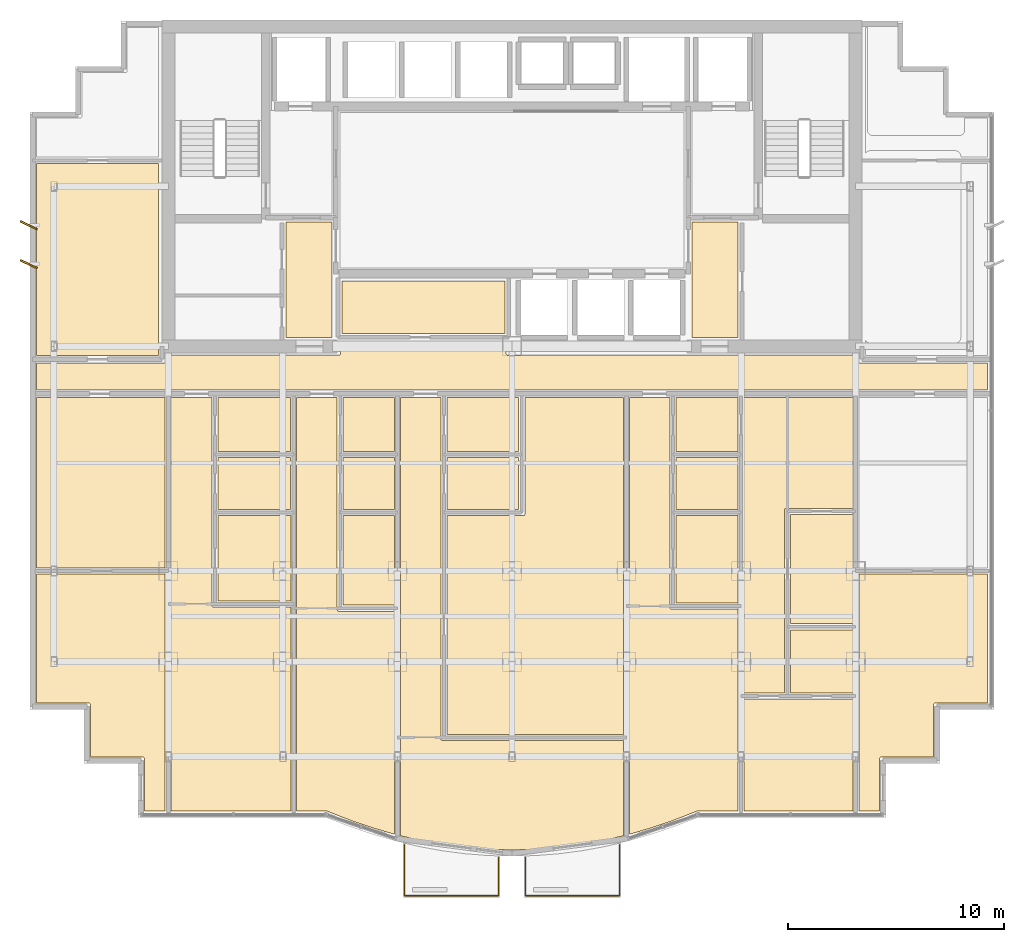
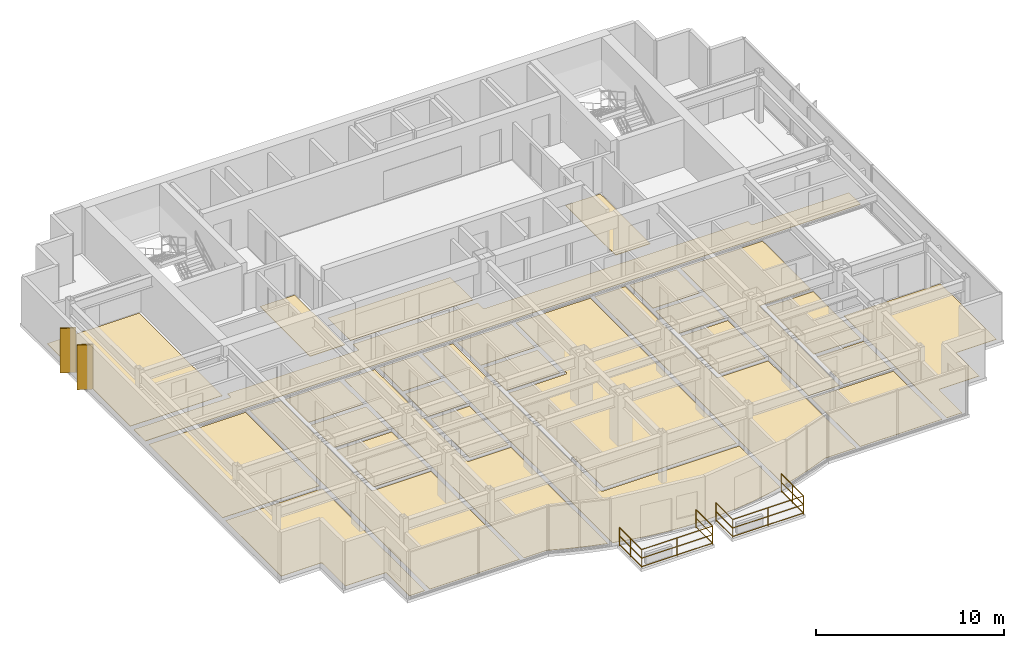
# One storey, part 12 of 13: 28 coverings, 2 railings, 2 shading devices.
"""IFC4 building model written with IfcOpenShell, lengths in metres."""

from ifc_helpers import new_model, si_unit, direction, frame, origin, origin_2d, place, context, subcontext, project, spatial, polyline, rectangle, circle, outline, extrude, source, transform, mapped, material, layer, layer_set, type_object, element, save


model = new_model("IFC4")

# Units and contexts
model_context = context("Model", 3, precision=1e-05, world=origin(), true_north=direction((0.0, 1.0)))
body_context = subcontext(model_context, "Body", "Model", "MODEL_VIEW")
ifc_project = project(units=[si_unit("LENGTHUNIT", "METRE"), si_unit("AREAUNIT", "SQUARE_METRE"), si_unit("VOLUMEUNIT", "CUBIC_METRE"), si_unit("PLANEANGLEUNIT", "RADIAN"), si_unit("MASSUNIT", "GRAM", prefix="KILO")], contexts=[model_context])

# Site, building, storey
site_placement = place(None, origin())
site = spatial("IfcSite", under=ifc_project, at=site_placement, CompositionType="ELEMENT")
building_placement = place(site_placement, origin())
building = spatial("IfcBuilding", under=site, at=building_placement, Name="Qianlan Lanfeng Residences", CompositionType="ELEMENT")
storey_placement = place(building_placement, frame((0.0, 0.0, 142.5)))
storey = spatial("IfcBuildingStorey", under=building, at=storey_placement, Name="L38", CompositionType="ELEMENT", Elevation=142.5)

# Coverings
ifc_material_1 = material(Name="Honed Taitung Granite Stone Flooring", Category="masonry")
ifc_layer_1 = layer(ifc_material_1, 0.030029296875)
ifc_layer_set_1 = layer_set([ifc_layer_1], Name="Honed Taitung Granite Stone Flooring")
covering_type_1 = type_object("IfcCoveringType", Name="FLR-STN-30", PredefinedType="FLOORING", material=ifc_layer_set_1)
covering_1_placement = place(storey_placement, origin())
element("IfcCovering", 1, at=covering_1_placement, inside=storey, type_object=covering_type_1, Name="L38 Residential Corridor Floor Finish", PredefinedType="FLOORING", context=body_context, shape_type="SweptSolid", body=[
    extrude(outline(polyline([(4.489990234375, 23.179931640625), (48.510009765625, 23.179931640625), (48.510009765625, 24.419921875), (42.590087890625, 24.419921875), (42.5830078125, 24.419921875), (42.575927734375, 24.4208984375), (42.570068359375, 24.423095703125), (42.56298828125, 24.425048828125), (42.556884765625, 24.427978515625), (42.551025390625, 24.431884765625), (42.5458984375, 24.43603515625), (42.541015625, 24.44091796875), (42.535888671875, 24.446044921875), (42.531982421875, 24.450927734375), (42.528076171875, 24.45703125), (42.52490234375, 24.462890625), (42.52294921875, 24.469970703125), (42.52099609375, 24.47607421875), (42.52001953125, 24.48291015625), (42.52001953125, 24.489990234375), (42.52001953125, 24.800048828125), (26.300048828125, 24.800048828125), (26.29296875, 24.800048828125), (26.285888671875, 24.801025390625), (26.280029296875, 24.802978515625), (26.27294921875, 24.804931640625), (26.26708984375, 24.80810546875), (26.260986328125, 24.81201171875), (26.256103515625, 24.81591796875), (26.2509765625, 24.821044921875), (26.24609375, 24.825927734375), (26.241943359375, 24.8310546875), (26.238037109375, 24.8369140625), (26.235107421875, 24.843017578125), (26.23291015625, 24.85009765625), (26.23095703125, 24.85595703125), (26.22998046875, 24.863037109375), (26.22998046875, 24.8701171875), (26.22998046875, 25.429931640625), (18.570068359375, 25.429931640625), (18.570068359375, 24.8701171875), (18.570068359375, 24.863037109375), (18.569091796875, 24.85595703125), (18.56689453125, 24.85009765625), (18.56494140625, 24.843017578125), (18.56201171875, 24.8369140625), (18.55810546875, 24.8310546875), (18.553955078125, 24.825927734375), (18.549072265625, 24.821044921875), (18.5439453125, 24.81591796875), (18.5390625, 24.81201171875), (18.532958984375, 24.80810546875), (18.527099609375, 24.804931640625), (18.52001953125, 24.802978515625), (18.513916015625, 24.801025390625), (18.507080078125, 24.800048828125), (18.5, 24.800048828125), (10.47998046875, 24.800048828125), (10.47998046875, 24.489990234375), (10.47998046875, 24.48291015625), (10.47900390625, 24.47607421875), (10.47705078125, 24.469970703125), (10.47509765625, 24.462890625), (10.471923828125, 24.45703125), (10.468017578125, 24.450927734375), (10.464111328125, 24.446044921875), (10.458984375, 24.44091796875), (10.4541015625, 24.43603515625), (10.448974609375, 24.431884765625), (10.443115234375, 24.427978515625), (10.43701171875, 24.425048828125), (10.429931640625, 24.423095703125), (10.424072265625, 24.4208984375), (10.4169921875, 24.419921875), (10.409912109375, 24.419921875), (4.489990234375, 24.419921875), (4.489990234375, 23.179931640625)])), origin(), (0.0, 0.0, 1.0), 0.030029296875),
])
covering_2_placement = place(storey_placement, origin())
element("IfcCovering", 2, at=covering_2_placement, inside=storey, type_object=covering_type_1, Name="L38 Lift Lobby Floor Finish", PredefinedType="FLOORING", context=body_context, shape_type="SweptSolid", body=[
    extrude(outline(polyline([(16.030029296875, 25.610107421875), (18.169921875, 25.610107421875), (18.169921875, 30.949951171875), (16.030029296875, 30.949951171875), (16.030029296875, 25.610107421875)])), origin(), (0.0, 0.0, 1.0), 0.030029296875),
])
covering_3_placement = place(storey_placement, origin())
element("IfcCovering", 3, at=covering_3_placement, inside=storey, type_object=covering_type_1, Name="L38 Lift Lobby Floor Finish", PredefinedType="FLOORING", context=body_context, shape_type="SweptSolid", body=[
    extrude(outline(polyline([(34.830078125, 25.610107421875), (36.969970703125, 25.610107421875), (36.969970703125, 30.949951171875), (34.830078125, 30.949951171875), (34.830078125, 25.610107421875)])), origin(), (0.0, 0.0, 1.0), 0.030029296875),
])
ifc_material_2 = material(Name="Slip-Resistant Porcelain Tile Flooring")
ifc_layer_2 = layer(ifc_material_2, 0.02001953125)
ifc_layer_set_2 = layer_set([ifc_layer_2], Name="Slip-Resistant Porcelain Tile Flooring")
covering_type_2 = type_object("IfcCoveringType", Name="FLR-TIL-20", PredefinedType="FLOORING", material=ifc_layer_set_2)
covering_4_placement = place(storey_placement, origin())
element("IfcCovering", 4, at=covering_4_placement, inside=storey, type_object=covering_type_2, Name="L38 Kitchen Floor Finish", PredefinedType="FLOORING", context=body_context, shape_type="SweptSolid", body=[
    extrude(outline(polyline([(12.889892578125, 17.639892578125), (16.260009765625, 17.639892578125), (16.260009765625, 20.06005859375), (12.889892578125, 20.06005859375), (12.889892578125, 17.639892578125)])), origin(), (0.0, 0.0, 1.0), 0.02001953125),
])
covering_5_placement = place(storey_placement, origin())
element("IfcCovering", 5, at=covering_5_placement, inside=storey, type_object=covering_type_2, Name="L38 Bathroom Floor Finish", PredefinedType="FLOORING", context=body_context, shape_type="SweptSolid", body=[
    extrude(outline(polyline([(12.889892578125, 20.340087890625), (16.260009765625, 20.340087890625), (16.260009765625, 22.830078125), (12.889892578125, 22.830078125), (12.889892578125, 20.340087890625)])), origin(), (0.0, 0.0, 1.0), 0.02001953125),
])
covering_6_placement = place(storey_placement, origin())
element("IfcCovering", 6, at=covering_6_placement, inside=storey, type_object=covering_type_2, Name="L38 Kitchen Floor Finish", PredefinedType="FLOORING", context=body_context, shape_type="SweptSolid", body=[
    extrude(outline(polyline([(18.68994140625, 17.639892578125), (21.06005859375, 17.639892578125), (21.06005859375, 20.06005859375), (18.68994140625, 20.06005859375), (18.68994140625, 17.639892578125)])), origin(), (0.0, 0.0, 1.0), 0.02001953125),
])
covering_7_placement = place(storey_placement, origin())
element("IfcCovering", 7, at=covering_7_placement, inside=storey, type_object=covering_type_2, Name="L38 Bathroom Floor Finish", PredefinedType="FLOORING", context=body_context, shape_type="SweptSolid", body=[
    extrude(outline(polyline([(18.68994140625, 20.340087890625), (21.06005859375, 20.340087890625), (21.06005859375, 22.830078125), (18.68994140625, 22.830078125), (18.68994140625, 20.340087890625)])), origin(), (0.0, 0.0, 1.0), 0.02001953125),
])
covering_8_placement = place(storey_placement, origin())
element("IfcCovering", 8, at=covering_8_placement, inside=storey, type_object=covering_type_2, Name="L38 Kitchen Floor Finish", PredefinedType="FLOORING", context=body_context, shape_type="SweptSolid", body=[
    extrude(outline(polyline([(23.489990234375, 17.639892578125), (26.81005859375, 17.639892578125), (26.81005859375, 20.06005859375), (23.489990234375, 20.06005859375), (23.489990234375, 17.639892578125)])), origin(), (0.0, 0.0, 1.0), 0.02001953125),
])
covering_9_placement = place(storey_placement, origin())
element("IfcCovering", 9, at=covering_9_placement, inside=storey, type_object=covering_type_2, Name="L38 Bathroom Floor Finish", PredefinedType="FLOORING", context=body_context, shape_type="SweptSolid", body=[
    extrude(outline(polyline([(23.489990234375, 20.340087890625), (26.81005859375, 20.340087890625), (26.81005859375, 22.830078125), (23.489990234375, 22.830078125), (23.489990234375, 20.340087890625)])), origin(), (0.0, 0.0, 1.0), 0.02001953125),
])
covering_10_placement = place(storey_placement, origin())
element("IfcCovering", 10, at=covering_10_placement, inside=storey, type_object=covering_type_2, Name="L38 Kitchen Floor Finish", PredefinedType="FLOORING", context=body_context, shape_type="SweptSolid", body=[
    extrude(outline(polyline([(34.090087890625, 17.639892578125), (36.9599609375, 17.639892578125), (36.9599609375, 20.06005859375), (34.090087890625, 20.06005859375), (34.090087890625, 17.639892578125)])), origin(), (0.0, 0.0, 1.0), 0.02001953125),
])
covering_11_placement = place(storey_placement, origin())
element("IfcCovering", 11, at=covering_11_placement, inside=storey, type_object=covering_type_2, Name="L38 Bathroom Floor Finish", PredefinedType="FLOORING", context=body_context, shape_type="SweptSolid", body=[
    extrude(outline(polyline([(34.090087890625, 20.340087890625), (36.9599609375, 20.340087890625), (36.9599609375, 22.830078125), (34.090087890625, 22.830078125), (34.090087890625, 20.340087890625)])), origin(), (0.0, 0.0, 1.0), 0.02001953125),
])
covering_12_placement = place(storey_placement, origin())
element("IfcCovering", 12, at=covering_12_placement, inside=storey, type_object=covering_type_2, Name="L38 En-Suite Bathroom Floor Finish", PredefinedType="FLOORING", context=body_context, shape_type="SweptSolid", body=[
    extrude(outline(polyline([(39.389892578125, 9.159912109375), (42.27001953125, 9.159912109375), (42.27001953125, 12.080078125), (39.389892578125, 12.080078125), (39.389892578125, 9.159912109375)])), origin(), (0.0, 0.0, 1.0), 0.02001953125),
])
ifc_material_3 = material(Name="Engineered Smoked Oak Timber Flooring", Category="wood")
ifc_layer_3 = layer(ifc_material_3, 0.02197265625)
ifc_layer_set_3 = layer_set([ifc_layer_3], Name="Engineered Smoked Oak Timber Flooring")
covering_type_3 = type_object("IfcCoveringType", Name="FLR-TIM-22", PredefinedType="FLOORING", material=ifc_layer_set_3)
covering_13_placement = place(storey_placement, origin())
element("IfcCovering", 13, at=covering_13_placement, inside=storey, type_object=covering_type_3, Name="L38 Gallery Salon Floor Finish", PredefinedType="FLOORING", context=body_context, shape_type="SweptSolid", body=[
    extrude(outline(polyline([(18.6298828125, 25.800048828125), (26.169921875, 25.800048828125), (26.169921875, 28.22998046875), (18.6298828125, 28.22998046875), (18.6298828125, 25.800048828125)])), origin(), (0.0, 0.0, 1.0), 0.02197265625),
])
covering_14_placement = place(storey_placement, origin())
element("IfcCovering", 14, at=covering_14_placement, inside=storey, type_object=covering_type_3, Name="L38 Studio Living Room Floor Finish", PredefinedType="FLOORING", context=body_context, shape_type="SweptSolid", body=[
    extrude(outline(polyline([(16.27001953125, 3.68994140625), (16.27001953125, 13.135009765625), (12.679931640625, 13.135009765625), (12.673095703125, 13.135009765625), (12.666015625, 13.135986328125), (12.659912109375, 13.137939453125), (12.653076171875, 13.139892578125), (12.64697265625, 13.14306640625), (12.64111328125, 13.14697265625), (12.635986328125, 13.15087890625), (12.631103515625, 13.156005859375), (12.6259765625, 13.160888671875), (12.6220703125, 13.166015625), (12.617919921875, 13.172119140625), (12.614990234375, 13.177978515625), (12.613037109375, 13.18505859375), (12.611083984375, 13.19091796875), (12.610107421875, 13.197998046875), (12.610107421875, 13.205078125), (12.610107421875, 22.830078125), (10.72998046875, 22.830078125), (10.72998046875, 3.68994140625), (16.27001953125, 3.68994140625)])), origin(), (0.0, 0.0, 1.0), 0.02197265625),
])
covering_15_placement = place(storey_placement, origin())
element("IfcCovering", 15, at=covering_15_placement, inside=storey, type_object=covering_type_3, Name="L38 Villa Family Sitting Room Floor Finish", PredefinedType="FLOORING", context=body_context, shape_type="SweptSolid", body=[
    extrude(outline(polyline([(12.889892578125, 17.360107421875), (12.889892578125, 13.4150390625), (16.27001953125, 13.4150390625), (16.27001953125, 17.360107421875), (12.889892578125, 17.360107421875)])), origin(), (0.0, 0.0, 1.0), 0.02197265625),
])
covering_16_placement = place(storey_placement, origin())
element("IfcCovering", 16, at=covering_16_placement, inside=storey, type_object=covering_type_3, Name="L38 Studio Living Room Floor Finish", PredefinedType="FLOORING", context=body_context, shape_type="SweptSolid", body=[
    extrude(outline(polyline([(21.070068359375, 2.616943359375), (21.070068359375, 12.93603515625), (18.47998046875, 12.93603515625), (18.472900390625, 12.93603515625), (18.466064453125, 12.93701171875), (18.4599609375, 12.93896484375), (18.452880859375, 12.94091796875), (18.447021484375, 12.944091796875), (18.44091796875, 12.947998046875), (18.43603515625, 12.951904296875), (18.430908203125, 12.95703125), (18.426025390625, 12.9619140625), (18.422119140625, 12.967041015625), (18.41796875, 12.972900390625), (18.4150390625, 12.97900390625), (18.4130859375, 12.986083984375), (18.410888671875, 12.991943359375), (18.409912109375, 12.9990234375), (18.409912109375, 13.006103515625), (18.409912109375, 22.830078125), (16.530029296875, 22.830078125), (16.530029296875, 3.68994140625), (17.922119140625, 3.68994140625), (17.927978515625, 3.68994140625), (17.93505859375, 3.68896484375), (17.94091796875, 3.68701171875), (17.947021484375, 3.68505859375), (19.056884765625, 3.25), (20.1220703125, 2.888916015625), (21.070068359375, 2.616943359375)])), origin(), (0.0, 0.0, 1.0), 0.02197265625),
])
covering_17_placement = place(storey_placement, origin())
element("IfcCovering", 17, at=covering_17_placement, inside=storey, type_object=covering_type_3, Name="L38 Private Study Floor Finish", PredefinedType="FLOORING", context=body_context, shape_type="SweptSolid", body=[
    extrude(outline(polyline([(18.68994140625, 17.360107421875), (18.68994140625, 13.216064453125), (21.070068359375, 13.216064453125), (21.070068359375, 17.360107421875), (18.68994140625, 17.360107421875)])), origin(), (0.0, 0.0, 1.0), 0.02197265625),
])
covering_18_placement = place(storey_placement, origin())
element("IfcCovering", 18, at=covering_18_placement, inside=storey, type_object=covering_type_3, Name="L38 Studio Living Room Floor Finish", PredefinedType="FLOORING", context=body_context, shape_type="SweptSolid", body=[
    extrude(outline(polyline([(31.669921875, 2.550048828125), (31.669921875, 6.962890625), (23.280029296875, 6.962890625), (23.27294921875, 6.962890625), (23.26611328125, 6.964111328125), (23.260009765625, 6.966064453125), (23.2529296875, 6.968017578125), (23.2470703125, 6.970947265625), (23.240966796875, 6.97509765625), (23.236083984375, 6.97900390625), (23.23095703125, 6.98388671875), (23.22607421875, 6.989013671875), (23.221923828125, 6.993896484375), (23.218017578125, 7.0), (23.215087890625, 7.006103515625), (23.212890625, 7.012939453125), (23.2109375, 7.01904296875), (23.2099609375, 7.02587890625), (23.2099609375, 7.032958984375), (23.2099609375, 22.830078125), (21.330078125, 22.830078125), (21.330078125, 2.550048828125), (22.2490234375, 2.333984375), (23.31201171875, 2.139892578125), (24.375, 2.001953125), (25.43701171875, 1.91796875), (26.5, 1.889892578125), (27.56298828125, 1.91796875), (28.625, 2.0009765625), (29.68701171875, 2.139892578125), (30.7509765625, 2.333984375), (31.669921875, 2.550048828125)])), origin(), (0.0, 0.0, 1.0), 0.02197265625),
])
covering_19_placement = place(storey_placement, origin())
element("IfcCovering", 19, at=covering_19_placement, inside=storey, type_object=covering_type_3, Name="L38 Villa Family Sitting Room Floor Finish", PredefinedType="FLOORING", context=body_context, shape_type="SweptSolid", body=[
    extrude(outline(polyline([(23.489990234375, 7.242919921875), (31.669921875, 7.242919921875), (31.669921875, 22.830078125), (27.090087890625, 22.830078125), (27.090087890625, 17.429931640625), (27.090087890625, 17.423095703125), (27.089111328125, 17.416015625), (27.0869140625, 17.409912109375), (27.0849609375, 17.403076171875), (27.08203125, 17.39697265625), (27.077880859375, 17.39111328125), (27.073974609375, 17.385986328125), (27.069091796875, 17.381103515625), (27.06396484375, 17.3759765625), (27.05908203125, 17.3720703125), (27.052978515625, 17.367919921875), (27.047119140625, 17.364990234375), (27.0400390625, 17.363037109375), (27.033935546875, 17.361083984375), (27.027099609375, 17.360107421875), (27.02001953125, 17.360107421875), (23.489990234375, 17.360107421875), (23.489990234375, 7.242919921875)])), origin(), (0.0, 0.0, 1.0), 0.02197265625),
])
covering_20_placement = place(storey_placement, origin())
element("IfcCovering", 20, at=covering_20_placement, inside=storey, type_object=covering_type_3, Name="L38 Living and Dining Room Floor Finish", PredefinedType="FLOORING", context=body_context, shape_type="SweptSolid", body=[
    extrude(outline(polyline([(36.969970703125, 3.68994140625), (36.969970703125, 13.033935546875), (33.8798828125, 13.033935546875), (33.873046875, 13.033935546875), (33.865966796875, 13.034912109375), (33.860107421875, 13.037109375), (33.85302734375, 13.0390625), (33.846923828125, 13.0419921875), (33.841064453125, 13.0458984375), (33.8359375, 13.050048828125), (33.8310546875, 13.054931640625), (33.825927734375, 13.06005859375), (33.822021484375, 13.06494140625), (33.818115234375, 13.071044921875), (33.81494140625, 13.076904296875), (33.81298828125, 13.083984375), (33.81103515625, 13.090087890625), (33.81005859375, 13.096923828125), (33.81005859375, 13.10400390625), (33.81005859375, 22.830078125), (31.929931640625, 22.830078125), (31.929931640625, 2.616943359375), (32.8779296875, 2.888916015625), (33.94189453125, 3.25), (35.052978515625, 3.68505859375), (35.05908203125, 3.68701171875), (35.06494140625, 3.68896484375), (35.072021484375, 3.68994140625), (35.077880859375, 3.68994140625), (36.969970703125, 3.68994140625)])), origin(), (0.0, 0.0, 1.0), 0.02197265625),
])
covering_21_placement = place(storey_placement, origin())
element("IfcCovering", 21, at=covering_21_placement, inside=storey, type_object=covering_type_3, Name="L38 Villa Family Sitting Room Floor Finish", PredefinedType="FLOORING", context=body_context, shape_type="SweptSolid", body=[
    extrude(outline(polyline([(34.090087890625, 17.360107421875), (34.090087890625, 13.31396484375), (36.969970703125, 13.31396484375), (36.969970703125, 17.360107421875), (34.090087890625, 17.360107421875)])), origin(), (0.0, 0.0, 1.0), 0.02197265625),
])
covering_22_placement = place(storey_placement, origin())
element("IfcCovering", 22, at=covering_22_placement, inside=storey, type_object=covering_type_3, Name="L38 Private Study Floor Finish", PredefinedType="FLOORING", context=body_context, shape_type="SweptSolid", body=[
    extrude(outline(polyline([(39.389892578125, 12.360107421875), (42.27001953125, 12.360107421875), (42.27001953125, 17.419921875), (39.389892578125, 17.419921875), (39.389892578125, 12.360107421875)])), origin(), (0.0, 0.0, 1.0), 0.02197265625),
])
covering_23_placement = place(storey_placement, origin())
element("IfcCovering", 23, at=covering_23_placement, inside=storey, type_object=covering_type_3, Name="L38 Villa Family Sitting Room Floor Finish", PredefinedType="FLOORING", context=body_context, shape_type="SweptSolid", body=[
    extrude(outline(polyline([(37.22998046875, 9.159912109375), (39.110107421875, 9.159912109375), (39.110107421875, 17.6298828125), (39.110107421875, 17.636962890625), (39.111083984375, 17.64404296875), (39.113037109375, 17.64990234375), (39.114990234375, 17.656982421875), (39.117919921875, 17.6630859375), (39.1220703125, 17.6689453125), (39.1259765625, 17.674072265625), (39.131103515625, 17.678955078125), (39.135986328125, 17.68408203125), (39.14111328125, 17.68798828125), (39.14697265625, 17.69189453125), (39.153076171875, 17.695068359375), (39.159912109375, 17.697021484375), (39.166015625, 17.698974609375), (39.173095703125, 17.699951171875), (39.179931640625, 17.699951171875), (42.27001953125, 17.699951171875), (42.27001953125, 22.830078125), (37.22998046875, 22.830078125), (37.22998046875, 9.159912109375)])), origin(), (0.0, 0.0, 1.0), 0.02197265625),
])
covering_24_placement = place(storey_placement, origin())
element("IfcCovering", 24, at=covering_24_placement, inside=storey, type_object=covering_type_3, Name="L38 Master Bedroom Floor Finish", PredefinedType="FLOORING", context=body_context, shape_type="SweptSolid", body=[
    extrude(outline(polyline([(37.22998046875, 8.8798828125), (37.22998046875, 3.68994140625), (42.27001953125, 3.68994140625), (42.27001953125, 8.8798828125), (37.22998046875, 8.8798828125)])), origin(), (0.0, 0.0, 1.0), 0.02197265625),
])
covering_25_placement = place(storey_placement, origin())
element("IfcCovering", 25, at=covering_25_placement, inside=storey, type_object=covering_type_3, Name="L38 Sunroom Floor Finish", PredefinedType="FLOORING", context=body_context, shape_type="SweptSolid", body=[
    extrude(outline(polyline([(10.43994140625, 14.64990234375), (4.489990234375, 14.64990234375), (4.489990234375, 8.68994140625), (6.919921875, 8.68994140625), (6.927001953125, 8.68994140625), (6.93408203125, 8.68896484375), (6.93994140625, 8.68701171875), (6.947021484375, 8.68505859375), (6.952880859375, 8.681884765625), (6.958984375, 8.677978515625), (6.964111328125, 8.674072265625), (6.968994140625, 8.6689453125), (6.97412109375, 8.6640625), (6.97802734375, 8.658935546875), (6.98193359375, 8.653076171875), (6.985107421875, 8.64697265625), (6.987060546875, 8.639892578125), (6.989013671875, 8.634033203125), (6.989990234375, 8.626953125), (6.989990234375, 8.6201171875), (6.989990234375, 6.18994140625), (9.419921875, 6.18994140625), (9.427001953125, 6.18994140625), (9.43408203125, 6.18896484375), (9.43994140625, 6.18701171875), (9.447021484375, 6.18505859375), (9.452880859375, 6.181884765625), (9.458984375, 6.177978515625), (9.464111328125, 6.174072265625), (9.468994140625, 6.1689453125), (9.47412109375, 6.1640625), (9.47802734375, 6.158935546875), (9.48193359375, 6.153076171875), (9.485107421875, 6.14697265625), (9.487060546875, 6.139892578125), (9.489013671875, 6.134033203125), (9.489990234375, 6.126953125), (9.489990234375, 6.1201171875), (9.489990234375, 3.68994140625), (10.43994140625, 3.68994140625), (10.43994140625, 14.64990234375)])), origin(), (0.0, 0.0, 1.0), 0.02197265625),
])
covering_26_placement = place(storey_placement, origin())
element("IfcCovering", 26, at=covering_26_placement, inside=storey, type_object=covering_type_3, Name="L38 Family Sitting Room Floor Finish", PredefinedType="FLOORING", context=body_context, shape_type="SweptSolid", body=[
    extrude(outline(polyline([(10.43994140625, 22.830078125), (4.489990234375, 22.830078125), (4.489990234375, 14.949951171875), (10.43994140625, 14.949951171875), (10.43994140625, 22.830078125)])), origin(), (0.0, 0.0, 1.0), 0.02197265625),
])
covering_27_placement = place(storey_placement, origin())
element("IfcCovering", 27, at=covering_27_placement, inside=storey, type_object=covering_type_3, Name="L38 Sunroom Floor Finish", PredefinedType="FLOORING", context=body_context, shape_type="SweptSolid", body=[
    extrude(outline(polyline([(48.510009765625, 14.64990234375), (42.56005859375, 14.64990234375), (42.56005859375, 3.68994140625), (43.510009765625, 3.68994140625), (43.510009765625, 6.1201171875), (43.510009765625, 6.126953125), (43.510986328125, 6.134033203125), (43.512939453125, 6.139892578125), (43.514892578125, 6.14697265625), (43.51806640625, 6.153076171875), (43.52197265625, 6.158935546875), (43.52587890625, 6.1640625), (43.531005859375, 6.1689453125), (43.535888671875, 6.174072265625), (43.541015625, 6.177978515625), (43.547119140625, 6.181884765625), (43.552978515625, 6.18505859375), (43.56005859375, 6.18701171875), (43.56591796875, 6.18896484375), (43.572998046875, 6.18994140625), (43.580078125, 6.18994140625), (46.010009765625, 6.18994140625), (46.010009765625, 8.6201171875), (46.010009765625, 8.626953125), (46.010986328125, 8.634033203125), (46.012939453125, 8.639892578125), (46.014892578125, 8.64697265625), (46.01806640625, 8.653076171875), (46.02197265625, 8.658935546875), (46.02587890625, 8.6640625), (46.031005859375, 8.6689453125), (46.035888671875, 8.674072265625), (46.041015625, 8.677978515625), (46.047119140625, 8.681884765625), (46.052978515625, 8.68505859375), (46.06005859375, 8.68701171875), (46.06591796875, 8.68896484375), (46.072998046875, 8.68994140625), (46.080078125, 8.68994140625), (48.510009765625, 8.68994140625), (48.510009765625, 14.64990234375)])), origin(), (0.0, 0.0, 1.0), 0.02197265625),
])
covering_28_placement = place(storey_placement, origin())
element("IfcCovering", 28, at=covering_28_placement, inside=storey, type_object=covering_type_3, Name="L38 Sky Lounge Floor Finish", PredefinedType="FLOORING", context=body_context, shape_type="SweptSolid", body=[
    extrude(outline(polyline([(10.14990234375, 33.64990234375), (4.489990234375, 33.64990234375), (4.489990234375, 24.780029296875), (10.14990234375, 24.780029296875), (10.14990234375, 33.64990234375)])), origin(), (0.0, 0.0, 1.0), 0.02197265625),
])

# Railings
ifc_material_4 = material(Name="Anodised Bronze Aluminium and Laminated Glass Guard Balustrade", Category="aluminium")
railing_type = type_object("IfcRailingType", Name="GR-EXT-1220", PredefinedType="BALUSTRADE", material=ifc_material_4)
railing_1_placement = place(storey_placement, frame((25.8798828125, 1.5458984375, 0.0)))
element("IfcRailing", 29, at=railing_1_placement, inside=storey, type_object=railing_type, Name="L38 Terrace Safety Guard GR-L38-SB-W", PredefinedType="BALUSTRADE", context=body_context, shape_type="SweptSolid", body=[
    extrude(circle(Radius=0.02490234375, at=origin_2d()), frame((0.0, 0.0, 0.0849609375), z_axis=(0.0, -1.0, 0.0), x_axis=(1.0, 0.0, 0.0)), (0.0, 0.0, 1.0), 1.77587890625),
    extrude(circle(Radius=0.02490234375, at=origin_2d()), frame((0.0, 0.0, 0.63427734375), z_axis=(0.0, -1.0, 0.0), x_axis=(1.0, 0.0, 0.0)), (0.0, 0.0, 1.0), 1.77587890625),
    extrude(circle(Radius=0.02490234375, at=origin_2d()), frame((0.0, 0.0, 1.19482421875), z_axis=(0.0, -1.0, 0.0), x_axis=(1.0, 0.0, 0.0)), (0.0, 0.0, 1.0), 1.77587890625),
    extrude(circle(Radius=0.02490234375, at=origin_2d()), frame((0.0, -1.77587890625, 0.0849609375), z_axis=(-1.0, 0.0, 0.0), x_axis=(0.0, -1.0, 0.0)), (0.0, 0.0, 1.0), 4.35986328125),
    extrude(circle(Radius=0.02490234375, at=origin_2d()), frame((0.0, -1.77587890625, 0.63427734375), z_axis=(-1.0, 0.0, 0.0), x_axis=(0.0, -1.0, 0.0)), (0.0, 0.0, 1.0), 4.35986328125),
    extrude(circle(Radius=0.02490234375, at=origin_2d()), frame((0.0, -1.77587890625, 1.19482421875), z_axis=(-1.0, 0.0, 0.0), x_axis=(0.0, -1.0, 0.0)), (0.0, 0.0, 1.0), 4.35986328125),
    extrude(circle(Radius=0.02490234375, at=origin_2d()), frame((-4.35986328125, -1.77587890625, 0.0849609375), z_axis=(0.0, 1.0, 0.0), x_axis=(-1.0, 0.0, 0.0)), (0.0, 0.0, 1.0), 2.365966796875),
    extrude(circle(Radius=0.02490234375, at=origin_2d()), frame((-4.35986328125, -1.77587890625, 0.63427734375), z_axis=(0.0, 1.0, 0.0), x_axis=(-1.0, 0.0, 0.0)), (0.0, 0.0, 1.0), 2.365966796875),
    extrude(circle(Radius=0.02490234375, at=origin_2d()), frame((-4.35986328125, -1.77587890625, 1.19482421875), z_axis=(0.0, 1.0, 0.0), x_axis=(-1.0, 0.0, 0.0)), (0.0, 0.0, 1.0), 2.365966796875),
    extrude(circle(Radius=0.02099609375, at=origin_2d()), origin(), (0.0, 0.0, 1.0), 1.169921875),
    extrude(circle(Radius=0.02099609375, at=origin_2d()), frame((0.0, -1.77587890625, 0.0)), (0.0, 0.0, 1.0), 1.169921875),
    extrude(circle(Radius=0.02099609375, at=origin_2d()), frame((-2.179931640625, -1.77587890625, 0.0)), (0.0, 0.0, 1.0), 1.169921875),
    extrude(circle(Radius=0.02099609375, at=origin_2d()), frame((-4.35986328125, -1.77587890625, 0.0)), (0.0, 0.0, 1.0), 1.169921875),
    extrude(circle(Radius=0.02099609375, at=origin_2d()), frame((-4.35986328125, -0.5927734375, 0.0)), (0.0, 0.0, 1.0), 1.169921875),
    extrude(circle(Radius=0.02099609375, at=origin_2d()), frame((-4.35986328125, 0.590087890625, 0.0)), (0.0, 0.0, 1.0), 1.169921875),
])
railing_2_placement = place(storey_placement, frame((31.47998046875, 2.135986328125, 0.0)))
element("IfcRailing", 30, at=railing_2_placement, inside=storey, type_object=railing_type, Name="L38 Terrace Safety Guard GR-L38-SB-E", PredefinedType="BALUSTRADE", context=body_context, shape_type="SweptSolid", body=[
    extrude(circle(Radius=0.02490234375, at=origin_2d()), frame((0.0, 0.0, 0.0849609375), z_axis=(0.0, -1.0, 0.0), x_axis=(1.0, 0.0, 0.0)), (0.0, 0.0, 1.0), 2.365966796875),
    extrude(circle(Radius=0.02490234375, at=origin_2d()), frame((0.0, 0.0, 0.63427734375), z_axis=(0.0, -1.0, 0.0), x_axis=(1.0, 0.0, 0.0)), (0.0, 0.0, 1.0), 2.365966796875),
    extrude(circle(Radius=0.02490234375, at=origin_2d()), frame((0.0, 0.0, 1.19482421875), z_axis=(0.0, -1.0, 0.0), x_axis=(1.0, 0.0, 0.0)), (0.0, 0.0, 1.0), 2.365966796875),
    extrude(circle(Radius=0.02490234375, at=origin_2d()), frame((0.0, -2.365966796875, 0.0849609375), z_axis=(-1.0, 0.0, 0.0), x_axis=(0.0, -1.0, 0.0)), (0.0, 0.0, 1.0), 4.35986328125),
    extrude(circle(Radius=0.02490234375, at=origin_2d()), frame((0.0, -2.365966796875, 0.63427734375), z_axis=(-1.0, 0.0, 0.0), x_axis=(0.0, -1.0, 0.0)), (0.0, 0.0, 1.0), 4.35986328125),
    extrude(circle(Radius=0.02490234375, at=origin_2d()), frame((0.0, -2.365966796875, 1.19482421875), z_axis=(-1.0, 0.0, 0.0), x_axis=(0.0, -1.0, 0.0)), (0.0, 0.0, 1.0), 4.35986328125),
    extrude(circle(Radius=0.02490234375, at=origin_2d()), frame((-4.35986328125, -2.365966796875, 0.0849609375), z_axis=(0.0, 1.0, 0.0), x_axis=(-1.0, 0.0, 0.0)), (0.0, 0.0, 1.0), 1.77587890625),
    extrude(circle(Radius=0.02490234375, at=origin_2d()), frame((-4.35986328125, -2.365966796875, 0.63427734375), z_axis=(0.0, 1.0, 0.0), x_axis=(-1.0, 0.0, 0.0)), (0.0, 0.0, 1.0), 1.77587890625),
    extrude(circle(Radius=0.02490234375, at=origin_2d()), frame((-4.35986328125, -2.365966796875, 1.19482421875), z_axis=(0.0, 1.0, 0.0), x_axis=(-1.0, 0.0, 0.0)), (0.0, 0.0, 1.0), 1.77587890625),
    extrude(circle(Radius=0.02099609375, at=origin_2d()), origin(), (0.0, 0.0, 1.0), 1.169921875),
    extrude(circle(Radius=0.02099609375, at=origin_2d()), frame((0.0, -1.18310546875, 0.0)), (0.0, 0.0, 1.0), 1.169921875),
    extrude(circle(Radius=0.02099609375, at=origin_2d()), frame((0.0, -2.365966796875, 0.0)), (0.0, 0.0, 1.0), 1.169921875),
    extrude(circle(Radius=0.02099609375, at=origin_2d()), frame((-2.179931640625, -2.365966796875, 0.0)), (0.0, 0.0, 1.0), 1.169921875),
    extrude(circle(Radius=0.02099609375, at=origin_2d()), frame((-4.35986328125, -2.365966796875, 0.0)), (0.0, 0.0, 1.0), 1.169921875),
    extrude(circle(Radius=0.02099609375, at=origin_2d()), frame((-4.35986328125, -0.590087890625, 0.0)), (0.0, 0.0, 1.0), 1.169921875),
])

# Shading devices
ifc_material_5 = material(Name="Anodised Bronze Aluminium Solar Fin", Category="aluminium")
shading_device_type = type_object("IfcShadingDeviceType", Name="FIN-BRZ-850", PredefinedType="SHUTTER", material=ifc_material_5)
shared_shape = source(origin(), body_context, "Body", "SweptSolid", [
    extrude(rectangle(XDim=0.85009765625, YDim=0.080078125, at=origin_2d()), origin(), (0.0, 0.0, 1.0), 2.89990234375),
])
for number, where, z_axis, x_axis, name in (
    (31, (4.1298828125, 29.0, 0.0), (0.0, 0.0, 1.0), (0.898794046299, -0.438371146789, 0.0), "L38 Raked Bronze Solar Fin W1"),
    (32, (4.1298828125, 30.800048828125, 0.0), (0.0, 0.0, 1.0), (0.898794046299, -0.438371146789, 0.0), "L38 Raked Bronze Solar Fin W2"),
):
    element("IfcShadingDevice", number, at=place(storey_placement, frame(where, z_axis=z_axis, x_axis=x_axis)), inside=storey, type_object=shading_device_type, Name=name, PredefinedType="SHUTTER", context=body_context, shape_type="MappedRepresentation", body=[
        mapped(shared_shape, transform((0.0, 0.0, 0.0), scale=1.0)),
    ])

save(model, "model.ifc")
